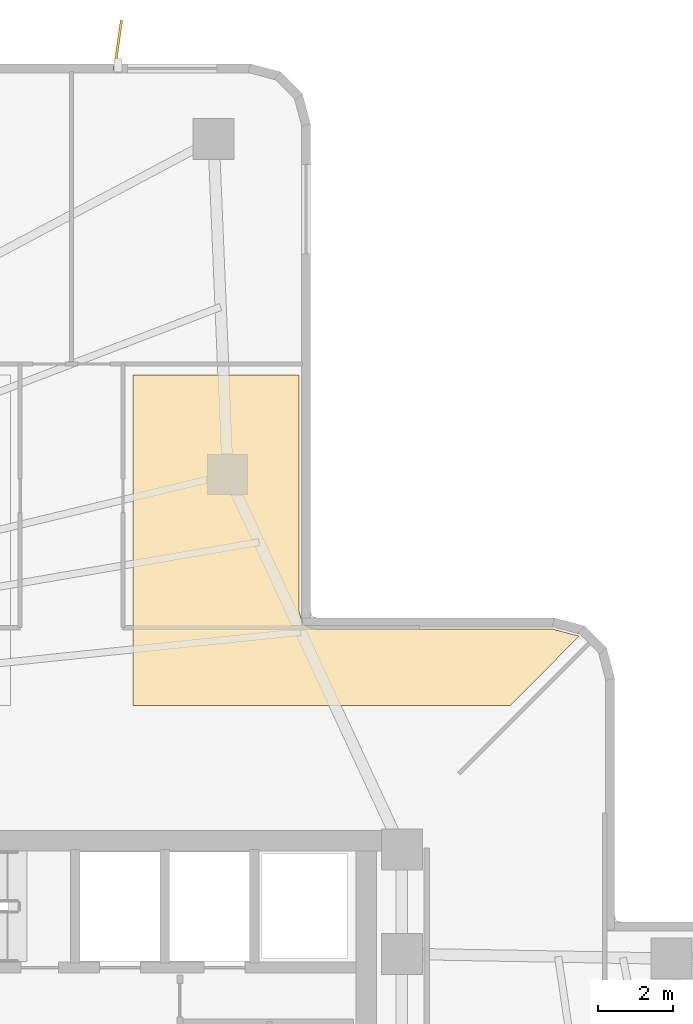
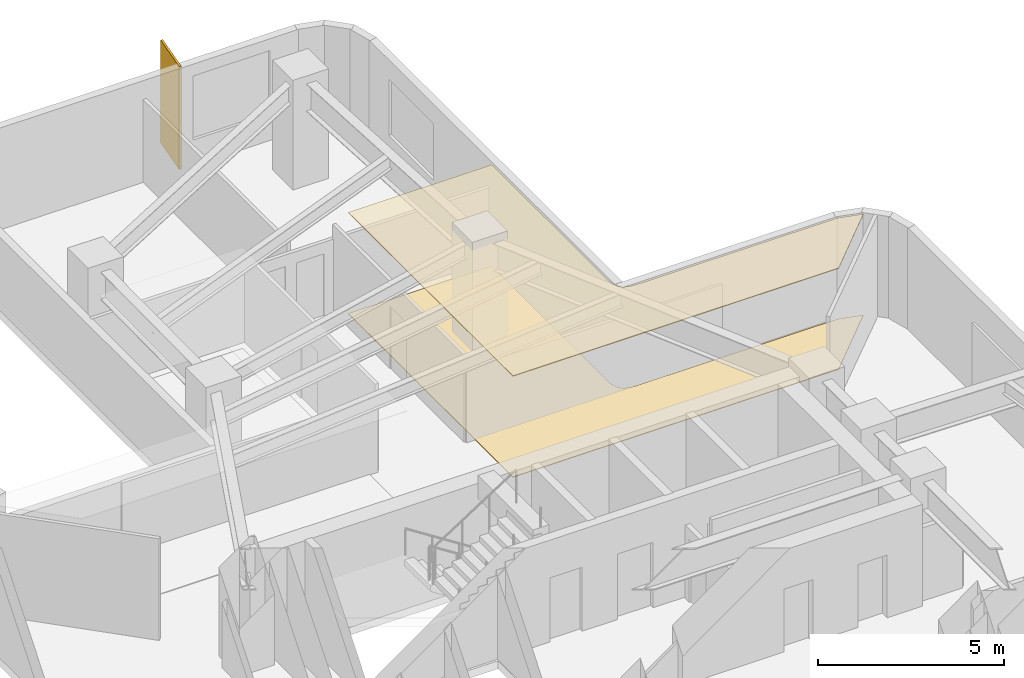
# One storey, part 9 of 9: 2 coverings, 1 shading device.
"""IFC4 building model written with IfcOpenShell, lengths in metres."""

from ifc_helpers import new_model, si_unit, direction, frame, origin, origin_2d, place, context, subcontext, project, spatial, polyline, rectangle, outline, extrude, material, layer, layer_set, type_object, element, save


model = new_model("IFC4")

# Units and contexts
model_context = context("Model", 3, precision=1e-05, world=origin(), true_north=direction((0.0, 1.0)))
body_context = subcontext(model_context, "Body", "Model", "MODEL_VIEW")
ifc_project = project(units=[si_unit("LENGTHUNIT", "METRE"), si_unit("AREAUNIT", "SQUARE_METRE"), si_unit("VOLUMEUNIT", "CUBIC_METRE"), si_unit("PLANEANGLEUNIT", "RADIAN"), si_unit("MASSUNIT", "GRAM", prefix="KILO")], contexts=[model_context])

# Site, building, storey
site_placement = place(None, origin())
site = spatial("IfcSite", under=ifc_project, at=site_placement, CompositionType="ELEMENT")
building_placement = place(site_placement, origin())
building = spatial("IfcBuilding", under=site, at=building_placement, Name="Solmarez Civic Tower", CompositionType="ELEMENT")
storey_placement = place(building_placement, frame((0.0, 0.0, 28.080078125)))
storey = spatial("IfcBuildingStorey", under=building, at=storey_placement, Name="L06", CompositionType="ELEMENT", Elevation=28.080078125)

# Coverings
ifc_material_1 = material(Name="Perforated Mineral-Fibre Acoustic Ceiling")
ifc_layer_1 = layer(ifc_material_1, 0.02490234375)
ifc_layer_set_1 = layer_set([ifc_layer_1], Name="Perforated Mineral-Fibre Acoustic Ceiling")
covering_type_1 = type_object("IfcCoveringType", Name="COV-CEIL-ACOUSTIC", PredefinedType="CEILING", material=ifc_layer_set_1)
covering_1_placement = place(storey_placement, frame((0.0, 0.0, 3.31494140625)))
element("IfcCovering", 1, at=covering_1_placement, inside=storey, type_object=covering_type_1, Name="L06 Suspended Acoustic Ceiling 2", PredefinedType="CEILING", context=body_context, shape_type="SweptSolid", body=[
    extrude(outline(polyline([(1.639892578125, 12.199951171875), (11.758056640625, 12.199951171875), (13.60009765625, 14.06201171875), (13.594970703125, 14.06689453125), (12.909912109375, 14.25), (6.60400390625, 14.25), (6.572998046875, 14.251953125), (6.56591796875, 14.2529296875), (6.537109375, 14.259033203125), (6.531982421875, 14.260986328125), (6.367919921875, 14.303955078125), (6.3369140625, 14.31494140625), (6.330078125, 14.318115234375), (6.322998046875, 14.321044921875), (6.31591796875, 14.323974609375), (6.298095703125, 14.3330078125), (6.281005859375, 14.343017578125), (6.27490234375, 14.346923828125), (6.256103515625, 14.361083984375), (6.25, 14.365966796875), (6.235107421875, 14.37890625), (6.22900390625, 14.385009765625), (6.216064453125, 14.39990234375), (6.2109375, 14.406005859375), (6.197021484375, 14.425048828125), (6.193115234375, 14.430908203125), (6.18310546875, 14.447998046875), (6.174072265625, 14.466064453125), (6.1650390625, 14.487060546875), (6.154052734375, 14.51806640625), (6.111083984375, 14.681884765625), (6.10888671875, 14.68701171875), (6.10302734375, 14.716064453125), (6.10205078125, 14.722900390625), (6.10009765625, 14.75390625), (6.10009765625, 21.06005859375), (1.639892578125, 21.06005859375), (1.639892578125, 12.199951171875)])), origin(), (0.0, 0.0, 1.0), 0.02490234375),
])
ifc_material_2 = material(Name="Polished Tropical Stone Terrazzo Flooring", Category="masonry")
ifc_layer_2 = layer(ifc_material_2, 0.02001953125)
ifc_layer_set_2 = layer_set([ifc_layer_2], Name="Polished Tropical Stone Terrazzo Flooring")
covering_type_2 = type_object("IfcCoveringType", Name="COV-FLOOR-TERRAZZO", PredefinedType="FLOORING", material=ifc_layer_set_2)
covering_2_placement = place(storey_placement, origin())
element("IfcCovering", 2, at=covering_2_placement, inside=storey, type_object=covering_type_2, Name="L06 Terrazzo Floor Finish 2", PredefinedType="FLOORING", context=body_context, shape_type="SweptSolid", body=[
    extrude(outline(polyline([(1.639892578125, 12.199951171875), (11.758056640625, 12.199951171875), (13.60009765625, 14.06201171875), (13.594970703125, 14.06689453125), (12.909912109375, 14.25), (6.60400390625, 14.25), (6.572998046875, 14.251953125), (6.56591796875, 14.2529296875), (6.537109375, 14.259033203125), (6.531982421875, 14.260986328125), (6.367919921875, 14.303955078125), (6.3369140625, 14.31494140625), (6.330078125, 14.318115234375), (6.322998046875, 14.321044921875), (6.31591796875, 14.323974609375), (6.298095703125, 14.3330078125), (6.281005859375, 14.343017578125), (6.27490234375, 14.346923828125), (6.256103515625, 14.361083984375), (6.25, 14.365966796875), (6.235107421875, 14.37890625), (6.22900390625, 14.385009765625), (6.216064453125, 14.39990234375), (6.2109375, 14.406005859375), (6.197021484375, 14.425048828125), (6.193115234375, 14.430908203125), (6.18310546875, 14.447998046875), (6.174072265625, 14.466064453125), (6.1650390625, 14.487060546875), (6.154052734375, 14.51806640625), (6.111083984375, 14.681884765625), (6.10888671875, 14.68701171875), (6.10302734375, 14.716064453125), (6.10205078125, 14.722900390625), (6.10009765625, 14.75390625), (6.10009765625, 21.06005859375), (1.639892578125, 21.06005859375), (1.639892578125, 12.199951171875)])), origin(), (0.0, 0.0, 1.0), 0.02001953125),
])

# Shading device
ifc_material_3 = material(Name="Bronze Anodised Aluminium EN AW-6063 T6", Category="aluminium")
ifc_layer_3 = layer(ifc_material_3, 0.06494140625)
ifc_layer_set_3 = layer_set([ifc_layer_3], Name="Bronze Anodised Aluminium EN AW-6063 T6")
shading_device_type = type_object("IfcShadingDeviceType", Name="FIN-BRONZE-Z12", PredefinedType="USERDEFINED", material=ifc_layer_set_3)
shading_device_placement = place(storey_placement, frame((1.242919921875, 29.905029296875, -0.0400390625), z_axis=(0.0, 0.0, 1.0), x_axis=(0.142024287239, 0.989863173289, 0.0)))
element("IfcShadingDevice", 3, at=shading_device_placement, inside=storey, type_object=shading_device_type, Name="L06 Anodised Bronze Solar Fin FIN-L06-04", ObjectType="FIN", PredefinedType="USERDEFINED", context=body_context, shape_type="SweptSolid", body=[
    extrude(rectangle(XDim=1.35009765625, YDim=0.06494140625, at=origin_2d()), origin(), (0.0, 0.0, 1.0), 3.3798828125),
])

save(model, "model.ifc")
